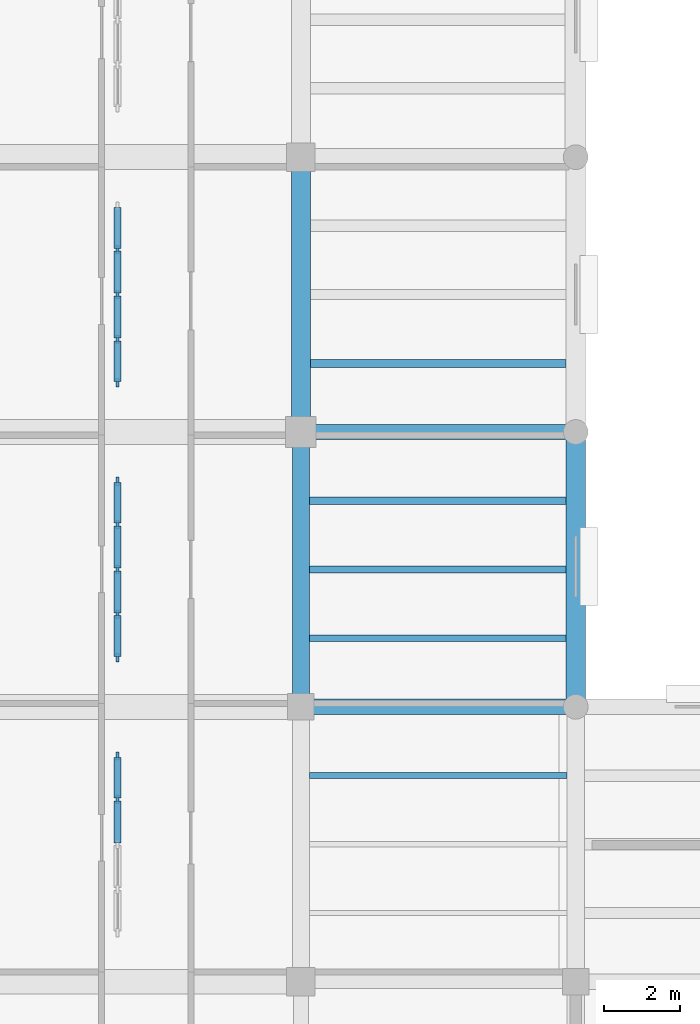
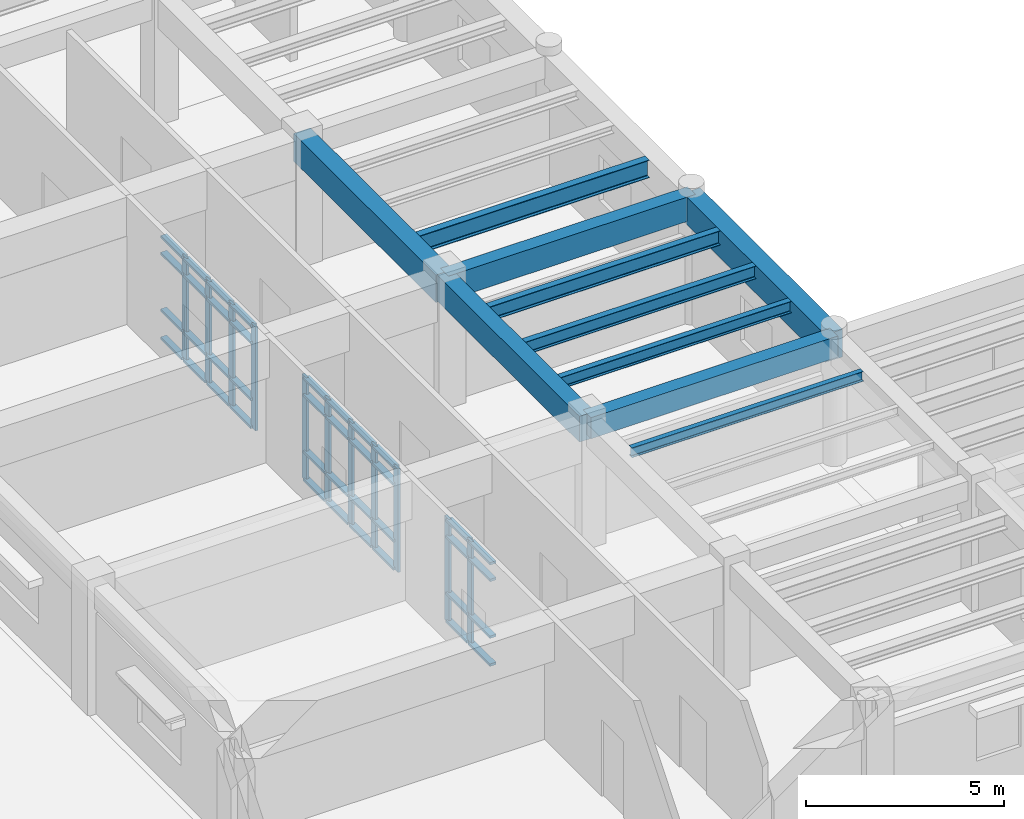
# One storey, part 5 of 76: 51 members, 10 beams, 3 elements without a shape of their own.
"""IFC4 building model written with IfcOpenShell, lengths in metres."""

from ifc_helpers import new_model, si_unit, direction, frame, origin, origin_2d, place, context, subcontext, project, spatial, rectangle, i_section, extrude, material, material_profile, profile_set, type_object, element, aggregate, save


model = new_model("IFC4")

# Units and contexts
model_context = context("Model", 3, precision=1e-05, world=origin(), true_north=direction((0.0, 1.0)))
body_context = subcontext(model_context, "Body", "Model", "MODEL_VIEW")
ifc_project = project(units=[si_unit("LENGTHUNIT", "METRE"), si_unit("AREAUNIT", "SQUARE_METRE"), si_unit("VOLUMEUNIT", "CUBIC_METRE"), si_unit("PLANEANGLEUNIT", "RADIAN"), si_unit("MASSUNIT", "GRAM", prefix="KILO")], contexts=[model_context])

# Site, building, storey
site_placement = place(None, origin())
site = spatial("IfcSite", under=ifc_project, at=site_placement, CompositionType="ELEMENT")
building_placement = place(site_placement, origin())
building = spatial("IfcBuilding", under=site, at=building_placement, Name="Mithqara Police Headquarters", CompositionType="ELEMENT")
storey_placement = place(building_placement, frame((0.0, 0.0, 5.39990234375)))
storey = spatial("IfcBuildingStorey", under=building, at=storey_placement, Name="L01", CompositionType="ELEMENT", Elevation=5.39990234375)

# Beams
ifc_material_1 = material(Name="Concrete C40/50", Category="concrete")
ifc_material_profile_1 = material_profile(ifc_material_1, rectangle(XDim=0.39990234375, YDim=0.64990234375, at=origin_2d()), Name="RC 400x650")
ifc_profile_set_1 = profile_set([ifc_material_profile_1], Name="Concrete C40/50")
beam_type_1 = type_object("IfcBeamType", Name="BEAM RC400X650", PredefinedType="BEAM", material=ifc_profile_set_1)
beam_1_placement = place(storey_placement, frame((22.199951171875, 35.39990234375, 3.59521484375), z_axis=(1.0, 0.0, 0.0), x_axis=(0.0, 1.0, 0.0)))
element("IfcBeam", 1, at=beam_1_placement, inside=storey, type_object=beam_type_1, Name="L01 Girder 4-5/F", PredefinedType="BEAM", context=body_context, shape_type="SweptSolid", body=[
    extrude(rectangle(XDim=0.39990234375, YDim=0.64990234375, at=origin_2d()), origin(), (0.0, 0.0, 1.0), 7.199951171875),
])
ifc_material_profile_2 = material_profile(ifc_material_1, rectangle(XDim=0.39990234375, YDim=0.75, at=origin_2d()), Name="RC 400x750")
ifc_profile_set_2 = profile_set([ifc_material_profile_2], Name="Concrete C40/50")
beam_type_2 = type_object("IfcBeamType", Name="BEAM RC400X750", PredefinedType="BEAM", material=ifc_profile_set_2)
beam_2_placement = place(storey_placement, frame((22.199951171875, 42.60009765625, 3.545166015625), z_axis=(1.0, 0.0, 0.0), x_axis=(0.0, 1.0, 0.0)))
element("IfcBeam", 2, at=beam_2_placement, inside=storey, type_object=beam_type_2, Name="L01 Girder 4-5/G", PredefinedType="BEAM", context=body_context, shape_type="SweptSolid", body=[
    extrude(rectangle(XDim=0.39990234375, YDim=0.75, at=origin_2d()), origin(), (0.0, 0.0, 1.0), 7.199951171875),
])
ifc_material_profile_3 = material_profile(ifc_material_1, rectangle(XDim=0.449951171875, YDim=0.800048828125, at=origin_2d()), Name="RC 450x800")
ifc_profile_set_3 = profile_set([ifc_material_profile_3], Name="Concrete C40/50")
beam_type_3 = type_object("IfcBeamType", Name="BEAM RC450X800", PredefinedType="BEAM", material=ifc_profile_set_3)
beam_3_placement = place(storey_placement, frame((22.199951171875, 35.39990234375, 3.52001953125), z_axis=(0.0, 1.0, 0.0), x_axis=(-1.0, 0.0, 0.0)))
element("IfcBeam", 3, at=beam_3_placement, inside=storey, type_object=beam_type_3, Name="L01 Girder 4/F-G", PredefinedType="BEAM", context=body_context, shape_type="SweptSolid", body=[
    extrude(rectangle(XDim=0.449951171875, YDim=0.800048828125, at=origin_2d()), origin(), (0.0, 0.0, 1.0), 7.2001953125),
])
ifc_material_profile_4 = material_profile(ifc_material_1, rectangle(XDim=0.5, YDim=0.85009765625, at=origin_2d()), Name="RC 500x850")
ifc_profile_set_4 = profile_set([ifc_material_profile_4], Name="Concrete C40/50")
beam_type_4 = type_object("IfcBeamType", Name="BEAM RC500X850", PredefinedType="BEAM", material=ifc_profile_set_4)
beam_4_placement = place(storey_placement, frame((22.199951171875, 42.60009765625, 3.4951171875), z_axis=(0.0, 1.0, 0.0), x_axis=(-1.0, 0.0, 0.0)))
element("IfcBeam", 4, at=beam_4_placement, inside=storey, type_object=beam_type_4, Name="L01 Girder 4/G-H", PredefinedType="BEAM", context=body_context, shape_type="SweptSolid", body=[
    extrude(rectangle(XDim=0.5, YDim=0.85009765625, at=origin_2d()), origin(), (0.0, 0.0, 1.0), 7.199951171875),
])
beam_5_placement = place(storey_placement, frame((29.39990234375, 35.39990234375, 3.4951171875), z_axis=(0.0, 1.0, 0.0), x_axis=(-1.0, 0.0, 0.0)))
element("IfcBeam", 5, at=beam_5_placement, inside=storey, type_object=beam_type_4, Name="L01 Girder 5/F-G", PredefinedType="BEAM", context=body_context, shape_type="SweptSolid", body=[
    extrude(rectangle(XDim=0.5, YDim=0.85009765625, at=origin_2d()), origin(), (0.0, 0.0, 1.0), 7.2001953125),
])

# Curtain wall, members
ifc_material_2 = material(Name="Bronze anodised aluminium 6063-T6", Category="aluminium")
curtain_wall_type = type_object("IfcCurtainWallType", Name="CURTAIN WALL 4700X3200", PredefinedType="USERDEFINED", material=ifc_material_2)
curtain_wall_1_placement = place(storey_placement, origin())
curtain_wall_1 = element("IfcCurtainWall", 6, at=curtain_wall_1_placement, inside=storey, type_object=curtain_wall_type, Name="L01 Unitised Glazing CW-15 (CW-INT-L01-X02-Y04-0)", ObjectType="UNITISED GLAZING", PredefinedType="USERDEFINED")
ifc_material_profile_5 = material_profile(ifc_material_2, rectangle(XDim=0.074951171875, YDim=0.219970703125, at=origin_2d()), Name="CWM 75x220")
ifc_profile_set_5 = profile_set([ifc_material_profile_5], Name="Bronze anodised aluminium 6063-T6")
member_type_1 = type_object("IfcMemberType", Name="CWMULLION 75X220", PredefinedType="MULLION", material=ifc_profile_set_5)
member_1_placement = place(storey_placement, frame((17.39990234375, 32.97509765625, 0.0), z_axis=(0.0, 0.0, 1.0), x_axis=(-1.0, 0.0, 0.0)))
member_1 = element("IfcMember", 7, at=member_1_placement, type_object=member_type_1, Name="CW-15 mullion 4", PredefinedType="MULLION", context=body_context, shape_type="SweptSolid", body=[
    extrude(rectangle(XDim=0.074951171875, YDim=0.219970703125, at=origin_2d()), origin(), (0.0, 0.0, 1.0), 3.2001953125),
])
member_2_placement = place(storey_placement, frame((17.39990234375, 34.112548828125, 0.0), z_axis=(0.0, 0.0, 1.0), x_axis=(-1.0, 0.0, 0.0)))
member_2 = element("IfcMember", 8, at=member_2_placement, type_object=member_type_1, Name="CW-15 mullion 5", PredefinedType="MULLION", context=body_context, shape_type="SweptSolid", body=[
    extrude(rectangle(XDim=0.074951171875, YDim=0.219970703125, at=origin_2d()), origin(), (0.0, 0.0, 1.0), 3.2001953125),
])

curtain_wall_2_placement = place(storey_placement, origin())
curtain_wall_2 = element("IfcCurtainWall", 9, at=curtain_wall_2_placement, inside=storey, type_object=curtain_wall_type, Name="L01 Unitised Glazing CW-15 (CW-INT-L01-X02-Y05-0)", ObjectType="UNITISED GLAZING", PredefinedType="USERDEFINED")
member_3_placement = place(storey_placement, frame((17.39990234375, 36.6875, 0.0), z_axis=(0.0, 0.0, 1.0), x_axis=(-1.0, 0.0, 0.0)))
member_3 = element("IfcMember", 10, at=member_3_placement, type_object=member_type_1, Name="CW-15 mullion 1", PredefinedType="MULLION", context=body_context, shape_type="SweptSolid", body=[
    extrude(rectangle(XDim=0.074951171875, YDim=0.219970703125, at=origin_2d()), origin(), (0.0, 0.0, 1.0), 3.2001953125),
])
member_4_placement = place(storey_placement, frame((17.39990234375, 37.824951171875, 0.0), z_axis=(0.0, 0.0, 1.0), x_axis=(-1.0, 0.0, 0.0)))
member_4 = element("IfcMember", 11, at=member_4_placement, type_object=member_type_1, Name="CW-15 mullion 2", PredefinedType="MULLION", context=body_context, shape_type="SweptSolid", body=[
    extrude(rectangle(XDim=0.074951171875, YDim=0.219970703125, at=origin_2d()), origin(), (0.0, 0.0, 1.0), 3.2001953125),
])
member_5_placement = place(storey_placement, frame((17.39990234375, 39.0, 0.0), z_axis=(0.0, 0.0, 1.0), x_axis=(-1.0, 0.0, 0.0)))
member_5 = element("IfcMember", 12, at=member_5_placement, type_object=member_type_1, Name="CW-15 mullion 3", PredefinedType="MULLION", context=body_context, shape_type="SweptSolid", body=[
    extrude(rectangle(XDim=0.074951171875, YDim=0.219970703125, at=origin_2d()), origin(), (0.0, 0.0, 1.0), 3.2001953125),
])
member_6_placement = place(storey_placement, frame((17.39990234375, 40.175048828125, 0.0), z_axis=(0.0, 0.0, 1.0), x_axis=(-1.0, 0.0, 0.0)))
member_6 = element("IfcMember", 13, at=member_6_placement, type_object=member_type_1, Name="CW-15 mullion 4", PredefinedType="MULLION", context=body_context, shape_type="SweptSolid", body=[
    extrude(rectangle(XDim=0.074951171875, YDim=0.219970703125, at=origin_2d()), origin(), (0.0, 0.0, 1.0), 3.2001953125),
])
member_7_placement = place(storey_placement, frame((17.39990234375, 41.3125, 0.0), z_axis=(0.0, 0.0, 1.0), x_axis=(-1.0, 0.0, 0.0)))
member_7 = element("IfcMember", 14, at=member_7_placement, type_object=member_type_1, Name="CW-15 mullion 5", PredefinedType="MULLION", context=body_context, shape_type="SweptSolid", body=[
    extrude(rectangle(XDim=0.074951171875, YDim=0.219970703125, at=origin_2d()), origin(), (0.0, 0.0, 1.0), 3.2001953125),
])

curtain_wall_3_placement = place(storey_placement, origin())
curtain_wall_3 = element("IfcCurtainWall", 15, at=curtain_wall_3_placement, inside=storey, type_object=curtain_wall_type, Name="L01 Unitised Glazing CW-15 (CW-INT-L01-X02-Y06-0)", ObjectType="UNITISED GLAZING", PredefinedType="USERDEFINED")
member_8_placement = place(storey_placement, frame((17.39990234375, 43.887451171875, 0.0), z_axis=(0.0, 0.0, 1.0), x_axis=(-1.0, 0.0, 0.0)))
member_8 = element("IfcMember", 16, at=member_8_placement, type_object=member_type_1, Name="CW-15 mullion 1", PredefinedType="MULLION", context=body_context, shape_type="SweptSolid", body=[
    extrude(rectangle(XDim=0.074951171875, YDim=0.219970703125, at=origin_2d()), origin(), (0.0, 0.0, 1.0), 3.2001953125),
])
member_9_placement = place(storey_placement, frame((17.39990234375, 45.02490234375, 0.0), z_axis=(0.0, 0.0, 1.0), x_axis=(-1.0, 0.0, 0.0)))
member_9 = element("IfcMember", 17, at=member_9_placement, type_object=member_type_1, Name="CW-15 mullion 2", PredefinedType="MULLION", context=body_context, shape_type="SweptSolid", body=[
    extrude(rectangle(XDim=0.074951171875, YDim=0.219970703125, at=origin_2d()), origin(), (0.0, 0.0, 1.0), 3.2001953125),
])
member_10_placement = place(storey_placement, frame((17.39990234375, 46.199951171875, 0.0), z_axis=(0.0, 0.0, 1.0), x_axis=(-1.0, 0.0, 0.0)))
member_10 = element("IfcMember", 18, at=member_10_placement, type_object=member_type_1, Name="CW-15 mullion 3", PredefinedType="MULLION", context=body_context, shape_type="SweptSolid", body=[
    extrude(rectangle(XDim=0.074951171875, YDim=0.219970703125, at=origin_2d()), origin(), (0.0, 0.0, 1.0), 3.2001953125),
])
member_11_placement = place(storey_placement, frame((17.39990234375, 47.375, 0.0), z_axis=(0.0, 0.0, 1.0), x_axis=(-1.0, 0.0, 0.0)))
member_11 = element("IfcMember", 19, at=member_11_placement, type_object=member_type_1, Name="CW-15 mullion 4", PredefinedType="MULLION", context=body_context, shape_type="SweptSolid", body=[
    extrude(rectangle(XDim=0.074951171875, YDim=0.219970703125, at=origin_2d()), origin(), (0.0, 0.0, 1.0), 3.2001953125),
])

# Member
ifc_material_profile_6 = material_profile(ifc_material_2, rectangle(XDim=0.179931640625, YDim=0.074951171875, at=origin_2d()), Name="CWT 180x75")
ifc_profile_set_6 = profile_set([ifc_material_profile_6], Name="Bronze anodised aluminium 6063-T6")
member_type_2 = type_object("IfcMemberType", Name="CWTRANSOM 180X75", PredefinedType="USERDEFINED", material=ifc_profile_set_6)
member_12_placement = place(storey_placement, frame((17.39990234375, 31.83740234375, 0.03759765625), z_axis=(0.0, 1.0, 0.0), x_axis=(-1.0, 0.0, 0.0)))
member_12 = element("IfcMember", 20, at=member_12_placement, type_object=member_type_2, Name="CW-15 transom 3.1", ObjectType="TRANSOM", PredefinedType="USERDEFINED", context=body_context, shape_type="SweptSolid", body=[
    extrude(rectangle(XDim=0.179931640625, YDim=0.074951171875, at=origin_2d()), origin(), (0.0, 0.0, 1.0), 1.10009765625),
])

member_13_placement = place(storey_placement, frame((17.39990234375, 31.83740234375, 0.900146484375), z_axis=(0.0, 1.0, 0.0), x_axis=(-1.0, 0.0, 0.0)))
member_13 = element("IfcMember", 21, at=member_13_placement, type_object=member_type_2, Name="CW-15 transom 3.2", ObjectType="TRANSOM", PredefinedType="USERDEFINED", context=body_context, shape_type="SweptSolid", body=[
    extrude(rectangle(XDim=0.179931640625, YDim=0.074951171875, at=origin_2d()), origin(), (0.0, 0.0, 1.0), 1.10009765625),
])

member_14_placement = place(storey_placement, frame((17.39990234375, 31.83740234375, 2.650146484375), z_axis=(0.0, 1.0, 0.0), x_axis=(-1.0, 0.0, 0.0)))
member_14 = element("IfcMember", 22, at=member_14_placement, type_object=member_type_2, Name="CW-15 transom 3.3", ObjectType="TRANSOM", PredefinedType="USERDEFINED", context=body_context, shape_type="SweptSolid", body=[
    extrude(rectangle(XDim=0.179931640625, YDim=0.074951171875, at=origin_2d()), origin(), (0.0, 0.0, 1.0), 1.10009765625),
])

member_15_placement = place(storey_placement, frame((17.39990234375, 31.83740234375, 3.16259765625), z_axis=(0.0, 1.0, 0.0), x_axis=(-1.0, 0.0, 0.0)))
member_15 = element("IfcMember", 23, at=member_15_placement, type_object=member_type_2, Name="CW-15 transom 3.4", ObjectType="TRANSOM", PredefinedType="USERDEFINED", context=body_context, shape_type="SweptSolid", body=[
    extrude(rectangle(XDim=0.179931640625, YDim=0.074951171875, at=origin_2d()), origin(), (0.0, 0.0, 1.0), 1.10009765625),
])

member_16_placement = place(storey_placement, frame((17.39990234375, 33.012451171875, 0.03759765625), z_axis=(0.0, 1.0, 0.0), x_axis=(-1.0, 0.0, 0.0)))
member_16 = element("IfcMember", 24, at=member_16_placement, type_object=member_type_2, Name="CW-15 transom 4.1", ObjectType="TRANSOM", PredefinedType="USERDEFINED", context=body_context, shape_type="SweptSolid", body=[
    extrude(rectangle(XDim=0.179931640625, YDim=0.074951171875, at=origin_2d()), origin(), (0.0, 0.0, 1.0), 1.0625),
])

member_17_placement = place(storey_placement, frame((17.39990234375, 33.012451171875, 0.900146484375), z_axis=(0.0, 1.0, 0.0), x_axis=(-1.0, 0.0, 0.0)))
member_17 = element("IfcMember", 25, at=member_17_placement, type_object=member_type_2, Name="CW-15 transom 4.2", ObjectType="TRANSOM", PredefinedType="USERDEFINED", context=body_context, shape_type="SweptSolid", body=[
    extrude(rectangle(XDim=0.179931640625, YDim=0.074951171875, at=origin_2d()), origin(), (0.0, 0.0, 1.0), 1.0625),
])

member_18_placement = place(storey_placement, frame((17.39990234375, 33.012451171875, 2.650146484375), z_axis=(0.0, 1.0, 0.0), x_axis=(-1.0, 0.0, 0.0)))
member_18 = element("IfcMember", 26, at=member_18_placement, type_object=member_type_2, Name="CW-15 transom 4.3", ObjectType="TRANSOM", PredefinedType="USERDEFINED", context=body_context, shape_type="SweptSolid", body=[
    extrude(rectangle(XDim=0.179931640625, YDim=0.074951171875, at=origin_2d()), origin(), (0.0, 0.0, 1.0), 1.0625),
])

member_19_placement = place(storey_placement, frame((17.39990234375, 33.012451171875, 3.16259765625), z_axis=(0.0, 1.0, 0.0), x_axis=(-1.0, 0.0, 0.0)))
member_19 = element("IfcMember", 27, at=member_19_placement, type_object=member_type_2, Name="CW-15 transom 4.4", ObjectType="TRANSOM", PredefinedType="USERDEFINED", context=body_context, shape_type="SweptSolid", body=[
    extrude(rectangle(XDim=0.179931640625, YDim=0.074951171875, at=origin_2d()), origin(), (0.0, 0.0, 1.0), 1.0625),
])

aggregate(curtain_wall_1, [member_1, member_2, member_12, member_13, member_14, member_15, member_16, member_17, member_18, member_19])

member_20_placement = place(storey_placement, frame((17.39990234375, 36.72509765625, 0.03759765625), z_axis=(0.0, 1.0, 0.0), x_axis=(-1.0, 0.0, 0.0)))
member_20 = element("IfcMember", 28, at=member_20_placement, type_object=member_type_2, Name="CW-15 transom 1.1", ObjectType="TRANSOM", PredefinedType="USERDEFINED", context=body_context, shape_type="SweptSolid", body=[
    extrude(rectangle(XDim=0.179931640625, YDim=0.074951171875, at=origin_2d()), origin(), (0.0, 0.0, 1.0), 1.0625),
])

member_21_placement = place(storey_placement, frame((17.39990234375, 36.72509765625, 0.900146484375), z_axis=(0.0, 1.0, 0.0), x_axis=(-1.0, 0.0, 0.0)))
member_21 = element("IfcMember", 29, at=member_21_placement, type_object=member_type_2, Name="CW-15 transom 1.2", ObjectType="TRANSOM", PredefinedType="USERDEFINED", context=body_context, shape_type="SweptSolid", body=[
    extrude(rectangle(XDim=0.179931640625, YDim=0.074951171875, at=origin_2d()), origin(), (0.0, 0.0, 1.0), 1.0625),
])

member_22_placement = place(storey_placement, frame((17.39990234375, 36.72509765625, 2.650146484375), z_axis=(0.0, 1.0, 0.0), x_axis=(-1.0, 0.0, 0.0)))
member_22 = element("IfcMember", 30, at=member_22_placement, type_object=member_type_2, Name="CW-15 transom 1.3", ObjectType="TRANSOM", PredefinedType="USERDEFINED", context=body_context, shape_type="SweptSolid", body=[
    extrude(rectangle(XDim=0.179931640625, YDim=0.074951171875, at=origin_2d()), origin(), (0.0, 0.0, 1.0), 1.0625),
])

member_23_placement = place(storey_placement, frame((17.39990234375, 36.72509765625, 3.16259765625), z_axis=(0.0, 1.0, 0.0), x_axis=(-1.0, 0.0, 0.0)))
member_23 = element("IfcMember", 31, at=member_23_placement, type_object=member_type_2, Name="CW-15 transom 1.4", ObjectType="TRANSOM", PredefinedType="USERDEFINED", context=body_context, shape_type="SweptSolid", body=[
    extrude(rectangle(XDim=0.179931640625, YDim=0.074951171875, at=origin_2d()), origin(), (0.0, 0.0, 1.0), 1.0625),
])

member_24_placement = place(storey_placement, frame((17.39990234375, 37.862548828125, 0.03759765625), z_axis=(0.0, 1.0, 0.0), x_axis=(-1.0, 0.0, 0.0)))
member_24 = element("IfcMember", 32, at=member_24_placement, type_object=member_type_2, Name="CW-15 transom 2.1", ObjectType="TRANSOM", PredefinedType="USERDEFINED", context=body_context, shape_type="SweptSolid", body=[
    extrude(rectangle(XDim=0.179931640625, YDim=0.074951171875, at=origin_2d()), origin(), (0.0, 0.0, 1.0), 1.099853515625),
])

member_25_placement = place(storey_placement, frame((17.39990234375, 37.862548828125, 0.900146484375), z_axis=(0.0, 1.0, 0.0), x_axis=(-1.0, 0.0, 0.0)))
member_25 = element("IfcMember", 33, at=member_25_placement, type_object=member_type_2, Name="CW-15 transom 2.2", ObjectType="TRANSOM", PredefinedType="USERDEFINED", context=body_context, shape_type="SweptSolid", body=[
    extrude(rectangle(XDim=0.179931640625, YDim=0.074951171875, at=origin_2d()), origin(), (0.0, 0.0, 1.0), 1.099853515625),
])

member_26_placement = place(storey_placement, frame((17.39990234375, 37.862548828125, 2.650146484375), z_axis=(0.0, 1.0, 0.0), x_axis=(-1.0, 0.0, 0.0)))
member_26 = element("IfcMember", 34, at=member_26_placement, type_object=member_type_2, Name="CW-15 transom 2.3", ObjectType="TRANSOM", PredefinedType="USERDEFINED", context=body_context, shape_type="SweptSolid", body=[
    extrude(rectangle(XDim=0.179931640625, YDim=0.074951171875, at=origin_2d()), origin(), (0.0, 0.0, 1.0), 1.099853515625),
])

member_27_placement = place(storey_placement, frame((17.39990234375, 37.862548828125, 3.16259765625), z_axis=(0.0, 1.0, 0.0), x_axis=(-1.0, 0.0, 0.0)))
member_27 = element("IfcMember", 35, at=member_27_placement, type_object=member_type_2, Name="CW-15 transom 2.4", ObjectType="TRANSOM", PredefinedType="USERDEFINED", context=body_context, shape_type="SweptSolid", body=[
    extrude(rectangle(XDim=0.179931640625, YDim=0.074951171875, at=origin_2d()), origin(), (0.0, 0.0, 1.0), 1.099853515625),
])

member_28_placement = place(storey_placement, frame((17.39990234375, 39.03759765625, 0.03759765625), z_axis=(0.0, 1.0, 0.0), x_axis=(-1.0, 0.0, 0.0)))
member_28 = element("IfcMember", 36, at=member_28_placement, type_object=member_type_2, Name="CW-15 transom 3.1", ObjectType="TRANSOM", PredefinedType="USERDEFINED", context=body_context, shape_type="SweptSolid", body=[
    extrude(rectangle(XDim=0.179931640625, YDim=0.074951171875, at=origin_2d()), origin(), (0.0, 0.0, 1.0), 1.099853515625),
])

member_29_placement = place(storey_placement, frame((17.39990234375, 39.03759765625, 0.900146484375), z_axis=(0.0, 1.0, 0.0), x_axis=(-1.0, 0.0, 0.0)))
member_29 = element("IfcMember", 37, at=member_29_placement, type_object=member_type_2, Name="CW-15 transom 3.2", ObjectType="TRANSOM", PredefinedType="USERDEFINED", context=body_context, shape_type="SweptSolid", body=[
    extrude(rectangle(XDim=0.179931640625, YDim=0.074951171875, at=origin_2d()), origin(), (0.0, 0.0, 1.0), 1.099853515625),
])

member_30_placement = place(storey_placement, frame((17.39990234375, 39.03759765625, 2.650146484375), z_axis=(0.0, 1.0, 0.0), x_axis=(-1.0, 0.0, 0.0)))
member_30 = element("IfcMember", 38, at=member_30_placement, type_object=member_type_2, Name="CW-15 transom 3.3", ObjectType="TRANSOM", PredefinedType="USERDEFINED", context=body_context, shape_type="SweptSolid", body=[
    extrude(rectangle(XDim=0.179931640625, YDim=0.074951171875, at=origin_2d()), origin(), (0.0, 0.0, 1.0), 1.099853515625),
])

member_31_placement = place(storey_placement, frame((17.39990234375, 39.03759765625, 3.16259765625), z_axis=(0.0, 1.0, 0.0), x_axis=(-1.0, 0.0, 0.0)))
member_31 = element("IfcMember", 39, at=member_31_placement, type_object=member_type_2, Name="CW-15 transom 3.4", ObjectType="TRANSOM", PredefinedType="USERDEFINED", context=body_context, shape_type="SweptSolid", body=[
    extrude(rectangle(XDim=0.179931640625, YDim=0.074951171875, at=origin_2d()), origin(), (0.0, 0.0, 1.0), 1.099853515625),
])

member_32_placement = place(storey_placement, frame((17.39990234375, 40.21240234375, 0.03759765625), z_axis=(0.0, 1.0, 0.0), x_axis=(-1.0, 0.0, 0.0)))
member_32 = element("IfcMember", 40, at=member_32_placement, type_object=member_type_2, Name="CW-15 transom 4.1", ObjectType="TRANSOM", PredefinedType="USERDEFINED", context=body_context, shape_type="SweptSolid", body=[
    extrude(rectangle(XDim=0.179931640625, YDim=0.074951171875, at=origin_2d()), origin(), (0.0, 0.0, 1.0), 1.0625),
])

member_33_placement = place(storey_placement, frame((17.39990234375, 40.21240234375, 0.900146484375), z_axis=(0.0, 1.0, 0.0), x_axis=(-1.0, 0.0, 0.0)))
member_33 = element("IfcMember", 41, at=member_33_placement, type_object=member_type_2, Name="CW-15 transom 4.2", ObjectType="TRANSOM", PredefinedType="USERDEFINED", context=body_context, shape_type="SweptSolid", body=[
    extrude(rectangle(XDim=0.179931640625, YDim=0.074951171875, at=origin_2d()), origin(), (0.0, 0.0, 1.0), 1.0625),
])

member_34_placement = place(storey_placement, frame((17.39990234375, 40.21240234375, 2.650146484375), z_axis=(0.0, 1.0, 0.0), x_axis=(-1.0, 0.0, 0.0)))
member_34 = element("IfcMember", 42, at=member_34_placement, type_object=member_type_2, Name="CW-15 transom 4.3", ObjectType="TRANSOM", PredefinedType="USERDEFINED", context=body_context, shape_type="SweptSolid", body=[
    extrude(rectangle(XDim=0.179931640625, YDim=0.074951171875, at=origin_2d()), origin(), (0.0, 0.0, 1.0), 1.0625),
])

member_35_placement = place(storey_placement, frame((17.39990234375, 40.21240234375, 3.16259765625), z_axis=(0.0, 1.0, 0.0), x_axis=(-1.0, 0.0, 0.0)))
member_35 = element("IfcMember", 43, at=member_35_placement, type_object=member_type_2, Name="CW-15 transom 4.4", ObjectType="TRANSOM", PredefinedType="USERDEFINED", context=body_context, shape_type="SweptSolid", body=[
    extrude(rectangle(XDim=0.179931640625, YDim=0.074951171875, at=origin_2d()), origin(), (0.0, 0.0, 1.0), 1.0625),
])

aggregate(curtain_wall_2, [member_3, member_4, member_5, member_6, member_7, member_20, member_21, member_22, member_23, member_24, member_25, member_26, member_27, member_28, member_29, member_30, member_31, member_32, member_33, member_34, member_35])

member_36_placement = place(storey_placement, frame((17.39990234375, 43.925048828125, 0.03759765625), z_axis=(0.0, 1.0, 0.0), x_axis=(-1.0, 0.0, 0.0)))
member_36 = element("IfcMember", 44, at=member_36_placement, type_object=member_type_2, Name="CW-15 transom 1.1", ObjectType="TRANSOM", PredefinedType="USERDEFINED", context=body_context, shape_type="SweptSolid", body=[
    extrude(rectangle(XDim=0.179931640625, YDim=0.074951171875, at=origin_2d()), origin(), (0.0, 0.0, 1.0), 1.0625),
])

member_37_placement = place(storey_placement, frame((17.39990234375, 43.925048828125, 0.900146484375), z_axis=(0.0, 1.0, 0.0), x_axis=(-1.0, 0.0, 0.0)))
member_37 = element("IfcMember", 45, at=member_37_placement, type_object=member_type_2, Name="CW-15 transom 1.2", ObjectType="TRANSOM", PredefinedType="USERDEFINED", context=body_context, shape_type="SweptSolid", body=[
    extrude(rectangle(XDim=0.179931640625, YDim=0.074951171875, at=origin_2d()), origin(), (0.0, 0.0, 1.0), 1.0625),
])

member_38_placement = place(storey_placement, frame((17.39990234375, 43.925048828125, 2.650146484375), z_axis=(0.0, 1.0, 0.0), x_axis=(-1.0, 0.0, 0.0)))
member_38 = element("IfcMember", 46, at=member_38_placement, type_object=member_type_2, Name="CW-15 transom 1.3", ObjectType="TRANSOM", PredefinedType="USERDEFINED", context=body_context, shape_type="SweptSolid", body=[
    extrude(rectangle(XDim=0.179931640625, YDim=0.074951171875, at=origin_2d()), origin(), (0.0, 0.0, 1.0), 1.0625),
])

member_39_placement = place(storey_placement, frame((17.39990234375, 43.925048828125, 3.16259765625), z_axis=(0.0, 1.0, 0.0), x_axis=(-1.0, 0.0, 0.0)))
member_39 = element("IfcMember", 47, at=member_39_placement, type_object=member_type_2, Name="CW-15 transom 1.4", ObjectType="TRANSOM", PredefinedType="USERDEFINED", context=body_context, shape_type="SweptSolid", body=[
    extrude(rectangle(XDim=0.179931640625, YDim=0.074951171875, at=origin_2d()), origin(), (0.0, 0.0, 1.0), 1.0625),
])

member_40_placement = place(storey_placement, frame((17.39990234375, 45.0625, 0.03759765625), z_axis=(0.0, 1.0, 0.0), x_axis=(-1.0, 0.0, 0.0)))
member_40 = element("IfcMember", 48, at=member_40_placement, type_object=member_type_2, Name="CW-15 transom 2.1", ObjectType="TRANSOM", PredefinedType="USERDEFINED", context=body_context, shape_type="SweptSolid", body=[
    extrude(rectangle(XDim=0.179931640625, YDim=0.074951171875, at=origin_2d()), origin(), (0.0, 0.0, 1.0), 1.10009765625),
])

member_41_placement = place(storey_placement, frame((17.39990234375, 45.0625, 0.900146484375), z_axis=(0.0, 1.0, 0.0), x_axis=(-1.0, 0.0, 0.0)))
member_41 = element("IfcMember", 49, at=member_41_placement, type_object=member_type_2, Name="CW-15 transom 2.2", ObjectType="TRANSOM", PredefinedType="USERDEFINED", context=body_context, shape_type="SweptSolid", body=[
    extrude(rectangle(XDim=0.179931640625, YDim=0.074951171875, at=origin_2d()), origin(), (0.0, 0.0, 1.0), 1.10009765625),
])

member_42_placement = place(storey_placement, frame((17.39990234375, 45.0625, 2.650146484375), z_axis=(0.0, 1.0, 0.0), x_axis=(-1.0, 0.0, 0.0)))
member_42 = element("IfcMember", 50, at=member_42_placement, type_object=member_type_2, Name="CW-15 transom 2.3", ObjectType="TRANSOM", PredefinedType="USERDEFINED", context=body_context, shape_type="SweptSolid", body=[
    extrude(rectangle(XDim=0.179931640625, YDim=0.074951171875, at=origin_2d()), origin(), (0.0, 0.0, 1.0), 1.10009765625),
])

member_43_placement = place(storey_placement, frame((17.39990234375, 45.0625, 3.16259765625), z_axis=(0.0, 1.0, 0.0), x_axis=(-1.0, 0.0, 0.0)))
member_43 = element("IfcMember", 51, at=member_43_placement, type_object=member_type_2, Name="CW-15 transom 2.4", ObjectType="TRANSOM", PredefinedType="USERDEFINED", context=body_context, shape_type="SweptSolid", body=[
    extrude(rectangle(XDim=0.179931640625, YDim=0.074951171875, at=origin_2d()), origin(), (0.0, 0.0, 1.0), 1.10009765625),
])

member_44_placement = place(storey_placement, frame((17.39990234375, 46.237548828125, 0.03759765625), z_axis=(0.0, 1.0, 0.0), x_axis=(-1.0, 0.0, 0.0)))
member_44 = element("IfcMember", 52, at=member_44_placement, type_object=member_type_2, Name="CW-15 transom 3.1", ObjectType="TRANSOM", PredefinedType="USERDEFINED", context=body_context, shape_type="SweptSolid", body=[
    extrude(rectangle(XDim=0.179931640625, YDim=0.074951171875, at=origin_2d()), origin(), (0.0, 0.0, 1.0), 1.099853515625),
])

member_45_placement = place(storey_placement, frame((17.39990234375, 46.237548828125, 0.900146484375), z_axis=(0.0, 1.0, 0.0), x_axis=(-1.0, 0.0, 0.0)))
member_45 = element("IfcMember", 53, at=member_45_placement, type_object=member_type_2, Name="CW-15 transom 3.2", ObjectType="TRANSOM", PredefinedType="USERDEFINED", context=body_context, shape_type="SweptSolid", body=[
    extrude(rectangle(XDim=0.179931640625, YDim=0.074951171875, at=origin_2d()), origin(), (0.0, 0.0, 1.0), 1.099853515625),
])

member_46_placement = place(storey_placement, frame((17.39990234375, 46.237548828125, 2.650146484375), z_axis=(0.0, 1.0, 0.0), x_axis=(-1.0, 0.0, 0.0)))
member_46 = element("IfcMember", 54, at=member_46_placement, type_object=member_type_2, Name="CW-15 transom 3.3", ObjectType="TRANSOM", PredefinedType="USERDEFINED", context=body_context, shape_type="SweptSolid", body=[
    extrude(rectangle(XDim=0.179931640625, YDim=0.074951171875, at=origin_2d()), origin(), (0.0, 0.0, 1.0), 1.099853515625),
])

member_47_placement = place(storey_placement, frame((17.39990234375, 46.237548828125, 3.16259765625), z_axis=(0.0, 1.0, 0.0), x_axis=(-1.0, 0.0, 0.0)))
member_47 = element("IfcMember", 55, at=member_47_placement, type_object=member_type_2, Name="CW-15 transom 3.4", ObjectType="TRANSOM", PredefinedType="USERDEFINED", context=body_context, shape_type="SweptSolid", body=[
    extrude(rectangle(XDim=0.179931640625, YDim=0.074951171875, at=origin_2d()), origin(), (0.0, 0.0, 1.0), 1.099853515625),
])

member_48_placement = place(storey_placement, frame((17.39990234375, 47.41259765625, 0.03759765625), z_axis=(0.0, 1.0, 0.0), x_axis=(-1.0, 0.0, 0.0)))
member_48 = element("IfcMember", 56, at=member_48_placement, type_object=member_type_2, Name="CW-15 transom 4.1", ObjectType="TRANSOM", PredefinedType="USERDEFINED", context=body_context, shape_type="SweptSolid", body=[
    extrude(rectangle(XDim=0.179931640625, YDim=0.074951171875, at=origin_2d()), origin(), (0.0, 0.0, 1.0), 1.0625),
])

member_49_placement = place(storey_placement, frame((17.39990234375, 47.41259765625, 0.900146484375), z_axis=(0.0, 1.0, 0.0), x_axis=(-1.0, 0.0, 0.0)))
member_49 = element("IfcMember", 57, at=member_49_placement, type_object=member_type_2, Name="CW-15 transom 4.2", ObjectType="TRANSOM", PredefinedType="USERDEFINED", context=body_context, shape_type="SweptSolid", body=[
    extrude(rectangle(XDim=0.179931640625, YDim=0.074951171875, at=origin_2d()), origin(), (0.0, 0.0, 1.0), 1.0625),
])

member_50_placement = place(storey_placement, frame((17.39990234375, 47.41259765625, 2.650146484375), z_axis=(0.0, 1.0, 0.0), x_axis=(-1.0, 0.0, 0.0)))
member_50 = element("IfcMember", 58, at=member_50_placement, type_object=member_type_2, Name="CW-15 transom 4.3", ObjectType="TRANSOM", PredefinedType="USERDEFINED", context=body_context, shape_type="SweptSolid", body=[
    extrude(rectangle(XDim=0.179931640625, YDim=0.074951171875, at=origin_2d()), origin(), (0.0, 0.0, 1.0), 1.0625),
])

member_51_placement = place(storey_placement, frame((17.39990234375, 47.41259765625, 3.16259765625), z_axis=(0.0, 1.0, 0.0), x_axis=(-1.0, 0.0, 0.0)))
member_51 = element("IfcMember", 59, at=member_51_placement, type_object=member_type_2, Name="CW-15 transom 4.4", ObjectType="TRANSOM", PredefinedType="USERDEFINED", context=body_context, shape_type="SweptSolid", body=[
    extrude(rectangle(XDim=0.179931640625, YDim=0.074951171875, at=origin_2d()), origin(), (0.0, 0.0, 1.0), 1.0625),
])

aggregate(curtain_wall_3, [member_8, member_9, member_10, member_11, member_36, member_37, member_38, member_39, member_40, member_41, member_42, member_43, member_44, member_45, member_46, member_47, member_48, member_49, member_50, member_51])

# Beams
ifc_material_3 = material(Name="Steel S355JR", Category="steel")
ifc_material_profile_7 = material_profile(ifc_material_3, i_section(OverallWidth=0.14990234375, OverallDepth=0.300048828125, WebThickness=0.007080078125, FlangeThickness=0.0107421875, FilletRadius=0.014892578125, at=origin_2d()), Name="IPE 300")
ifc_profile_set_7 = profile_set([ifc_material_profile_7], Name="Steel S355JR")
beam_type_5 = type_object("IfcBeamType", Name="JOIST IPE300", PredefinedType="JOIST", material=ifc_profile_set_7)
beam_6_placement = place(storey_placement, frame((22.425048828125, 33.60009765625, 3.77001953125), z_axis=(1.0, 0.0, 0.0), x_axis=(0.0, 1.0, 0.0)))
element("IfcBeam", 60, at=beam_6_placement, inside=storey, type_object=beam_type_5, Name="L01 Composite Steel Joist 4-5/E.3", PredefinedType="JOIST", context=body_context, shape_type="SweptSolid", body=[
    extrude(i_section(OverallWidth=0.14990234375, OverallDepth=0.300048828125, WebThickness=0.007080078125, FlangeThickness=0.0107421875, FilletRadius=0.014892578125, at=origin_2d()), origin(), (0.0, 0.0, 1.0), 6.75),
])
ifc_material_profile_8 = material_profile(ifc_material_3, i_section(OverallWidth=0.169921875, OverallDepth=0.360107421875, WebThickness=0.008056640625, FlangeThickness=0.0126953125, FilletRadius=0.01806640625, at=origin_2d()), Name="IPE 360")
ifc_profile_set_8 = profile_set([ifc_material_profile_8], Name="Steel S355JR")
beam_type_6 = type_object("IfcBeamType", Name="JOIST IPE360", PredefinedType="JOIST", material=ifc_profile_set_8)
beam_7_placement = place(storey_placement, frame((22.425048828125, 37.199951171875, 3.739990234375), z_axis=(1.0, 0.0, 0.0), x_axis=(0.0, 1.0, 0.0)))
element("IfcBeam", 61, at=beam_7_placement, inside=storey, type_object=beam_type_6, Name="L01 Composite Steel Joist 4-5/F.1", PredefinedType="JOIST", context=body_context, shape_type="SweptSolid", body=[
    extrude(i_section(OverallWidth=0.169921875, OverallDepth=0.360107421875, WebThickness=0.008056640625, FlangeThickness=0.0126953125, FilletRadius=0.01806640625, at=origin_2d()), origin(), (0.0, 0.0, 1.0), 6.724853515625),
])
ifc_material_profile_9 = material_profile(ifc_material_3, i_section(OverallWidth=0.179931640625, OverallDepth=0.39990234375, WebThickness=0.008544921875, FlangeThickness=0.013427734375, FilletRadius=0.02099609375, at=origin_2d()), Name="IPE 400")
ifc_profile_set_9 = profile_set([ifc_material_profile_9], Name="Steel S355JR")
beam_type_7 = type_object("IfcBeamType", Name="JOIST IPE400", PredefinedType="JOIST", material=ifc_profile_set_9)
beam_8_placement = place(storey_placement, frame((22.425048828125, 39.0, 3.72021484375), z_axis=(1.0, 0.0, 0.0), x_axis=(0.0, 1.0, 0.0)))
element("IfcBeam", 62, at=beam_8_placement, inside=storey, type_object=beam_type_7, Name="L01 Composite Steel Joist 4-5/F.2", PredefinedType="JOIST", context=body_context, shape_type="SweptSolid", body=[
    extrude(i_section(OverallWidth=0.179931640625, OverallDepth=0.39990234375, WebThickness=0.008544921875, FlangeThickness=0.013427734375, FilletRadius=0.02099609375, at=origin_2d()), origin(), (0.0, 0.0, 1.0), 6.724853515625),
])
ifc_material_profile_10 = material_profile(ifc_material_3, i_section(OverallWidth=0.18994140625, OverallDepth=0.449951171875, WebThickness=0.009521484375, FlangeThickness=0.0146484375, FilletRadius=0.02099609375, at=origin_2d()), Name="IPE 450")
ifc_profile_set_10 = profile_set([ifc_material_profile_10], Name="Steel S355JR")
beam_type_8 = type_object("IfcBeamType", Name="JOIST IPE450", PredefinedType="JOIST", material=ifc_profile_set_10)
beam_9_placement = place(storey_placement, frame((22.425048828125, 40.800048828125, 3.695068359375), z_axis=(1.0, 0.0, 0.0), x_axis=(0.0, 1.0, 0.0)))
element("IfcBeam", 63, at=beam_9_placement, inside=storey, type_object=beam_type_8, Name="L01 Composite Steel Joist 4-5/F.3", PredefinedType="JOIST", context=body_context, shape_type="SweptSolid", body=[
    extrude(i_section(OverallWidth=0.18994140625, OverallDepth=0.449951171875, WebThickness=0.009521484375, FlangeThickness=0.0146484375, FilletRadius=0.02099609375, at=origin_2d()), origin(), (0.0, 0.0, 1.0), 6.724853515625),
])
ifc_material_profile_11 = material_profile(ifc_material_3, i_section(OverallWidth=0.2099609375, OverallDepth=0.550048828125, WebThickness=0.010986328125, FlangeThickness=0.01708984375, FilletRadius=0.02392578125, at=origin_2d()), Name="IPE 550")
ifc_profile_set_11 = profile_set([ifc_material_profile_11], Name="Steel S355JR")
beam_type_9 = type_object("IfcBeamType", Name="JOIST IPE550", PredefinedType="JOIST", material=ifc_profile_set_11)
beam_10_placement = place(storey_placement, frame((22.449951171875, 44.39990234375, 3.64501953125), z_axis=(1.0, 0.0, 0.0), x_axis=(0.0, 1.0, 0.0)))
element("IfcBeam", 64, at=beam_10_placement, inside=storey, type_object=beam_type_9, Name="L01 Composite Steel Joist 4-5/G.1", PredefinedType="JOIST", context=body_context, shape_type="SweptSolid", body=[
    extrude(i_section(OverallWidth=0.2099609375, OverallDepth=0.550048828125, WebThickness=0.010986328125, FlangeThickness=0.01708984375, FilletRadius=0.02392578125, at=origin_2d()), origin(), (0.0, 0.0, 1.0), 6.699951171875),
])

save(model, "model.ifc")
